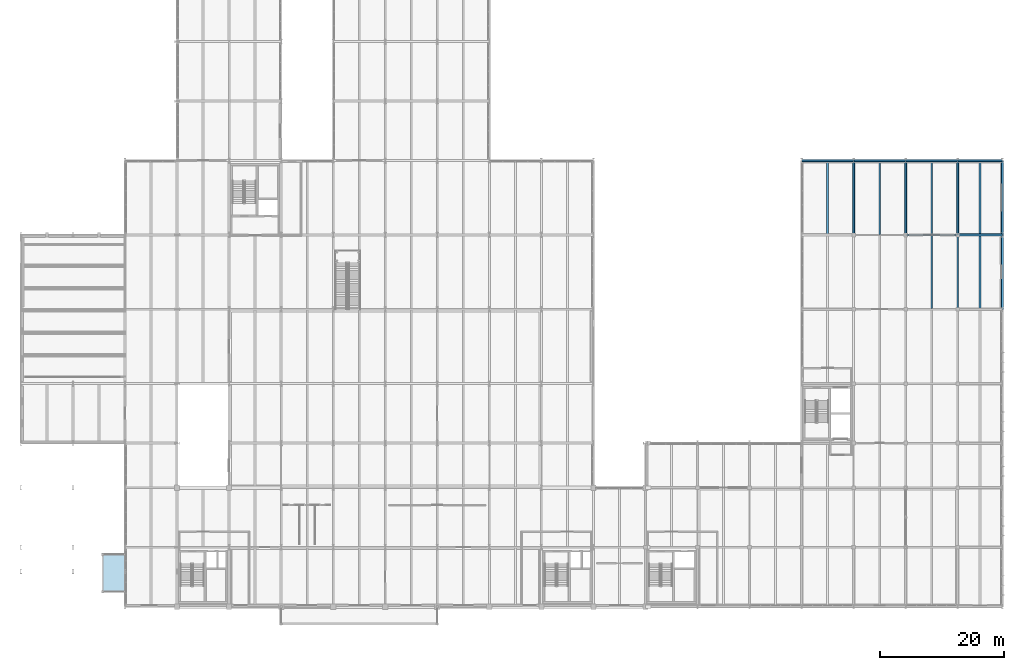
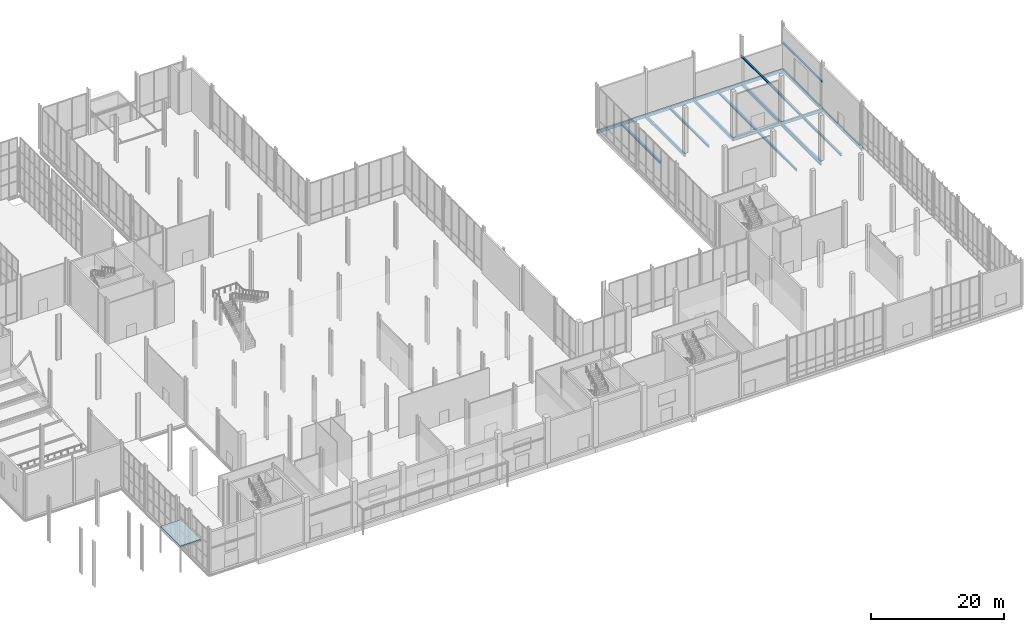
# One storey, part 99 of 131: 20 beams, 1 slab.
"""IFC4 building model written with IfcOpenShell, lengths in metres."""

from ifc_helpers import new_model, si_unit, direction, frame, origin, origin_2d, place, context, subcontext, project, spatial, polyline, rectangle, i_section, outline, extrude, material, layer, layer_set, material_profile, profile_set, type_object, element, save


model = new_model("IFC4")

# Units and contexts
model_context = context("Model", 3, precision=1e-05, world=origin(), true_north=direction((0.0, 1.0)))
body_context = subcontext(model_context, "Body", "Model", "MODEL_VIEW")
ifc_project = project(units=[si_unit("LENGTHUNIT", "METRE"), si_unit("AREAUNIT", "SQUARE_METRE"), si_unit("VOLUMEUNIT", "CUBIC_METRE"), si_unit("PLANEANGLEUNIT", "RADIAN"), si_unit("MASSUNIT", "GRAM", prefix="KILO")], contexts=[model_context])

# Site, building, storey
site_placement = place(None, origin())
site = spatial("IfcSite", under=ifc_project, at=site_placement, CompositionType="ELEMENT")
building_placement = place(site_placement, origin())
building = spatial("IfcBuilding", under=site, at=building_placement, Name="Veltarok Museum of Natural Sciences", CompositionType="ELEMENT")
storey_placement = place(building_placement, origin())
storey = spatial("IfcBuildingStorey", under=building, at=storey_placement, Name="L00", CompositionType="ELEMENT", Elevation=0.0)

# Beams
ifc_material_1 = material(Name="Steel S355J2", Category="steel")
ifc_material_profile_1 = material_profile(ifc_material_1, i_section(OverallWidth=0.2099609375, OverallDepth=0.550048828125, WebThickness=0.010986328125, FlangeThickness=0.01708984375, FilletRadius=0.02392578125, at=origin_2d()), Name="IPE 550")
ifc_profile_set_1 = profile_set([ifc_material_profile_1], Name="Steel S355J2")
beam_type_1 = type_object("IfcBeamType", Name="Archive Heavy Girder IPE 550", PredefinedType="BEAM", material=ifc_profile_set_1)
beam_1_placement = place(storey_placement, frame((149.199951171875, 60.0, -0.574951171875), z_axis=(1.0, 0.0, 0.0), x_axis=(0.0, 1.0, 0.0)))
element("IfcBeam", 1, at=beam_1_placement, inside=storey, type_object=beam_type_1, Name="Beam BM-G03 L00 18-19/G", PredefinedType="BEAM", context=body_context, shape_type="SweptSolid", body=[
    extrude(i_section(OverallWidth=0.2099609375, OverallDepth=0.550048828125, WebThickness=0.010986328125, FlangeThickness=0.01708984375, FilletRadius=0.02392578125, at=origin_2d()), origin(), (0.0, 0.0, 1.0), 8.400146484375),
])
ifc_material_2 = material(Name="Precast concrete C40/50", Category="concrete")
ifc_material_profile_2 = material_profile(ifc_material_2, rectangle(XDim=0.300048828125, YDim=0.550048828125, at=origin_2d()), Name="RC 300x550")
ifc_profile_set_2 = profile_set([ifc_material_profile_2], Name="Precast concrete C40/50")
beam_type_2 = type_object("IfcBeamType", Name="East Wing Precast Spandrel RC 300x550", PredefinedType="SPANDREL", material=ifc_profile_set_2)
beam_2_placement = place(storey_placement, frame((157.60009765625, 60.0, -0.574951171875), z_axis=(1.0, 0.0, 0.0), x_axis=(0.0, 1.0, 0.0)))
element("IfcBeam", 2, at=beam_2_placement, inside=storey, type_object=beam_type_2, Name="Beam BM-SP02 L00 19-20/G", PredefinedType="SPANDREL", context=body_context, shape_type="SweptSolid", body=[
    extrude(rectangle(XDim=0.300048828125, YDim=0.550048828125, at=origin_2d()), origin(), (0.0, 0.0, 1.0), 7.199951171875),
])
beam_3_placement = place(storey_placement, frame((132.39990234375, 72.0, -0.574951171875), z_axis=(1.0, 0.0, 0.0), x_axis=(0.0, 1.0, 0.0)))
element("IfcBeam", 3, at=beam_3_placement, inside=storey, type_object=beam_type_2, Name="Beam BM-SP02 L00 16-17/H", PredefinedType="SPANDREL", context=body_context, shape_type="SweptSolid", body=[
    extrude(rectangle(XDim=0.300048828125, YDim=0.550048828125, at=origin_2d()), origin(), (0.0, 0.0, 1.0), 8.400146484375),
])
beam_4_placement = place(storey_placement, frame((140.800048828125, 72.0, -0.574951171875), z_axis=(1.0, 0.0, 0.0), x_axis=(0.0, 1.0, 0.0)))
element("IfcBeam", 4, at=beam_4_placement, inside=storey, type_object=beam_type_2, Name="Beam BM-SP02 L00 17-18/H", PredefinedType="SPANDREL", context=body_context, shape_type="SweptSolid", body=[
    extrude(rectangle(XDim=0.300048828125, YDim=0.550048828125, at=origin_2d()), origin(), (0.0, 0.0, 1.0), 8.39990234375),
])
beam_5_placement = place(storey_placement, frame((149.199951171875, 72.0, -0.574951171875), z_axis=(1.0, 0.0, 0.0), x_axis=(0.0, 1.0, 0.0)))
element("IfcBeam", 5, at=beam_5_placement, inside=storey, type_object=beam_type_2, Name="Beam BM-SP02 L00 18-19/H", PredefinedType="SPANDREL", context=body_context, shape_type="SweptSolid", body=[
    extrude(rectangle(XDim=0.300048828125, YDim=0.550048828125, at=origin_2d()), origin(), (0.0, 0.0, 1.0), 8.400146484375),
])
beam_6_placement = place(storey_placement, frame((157.60009765625, 72.0, -0.574951171875), z_axis=(1.0, 0.0, 0.0), x_axis=(0.0, 1.0, 0.0)))
element("IfcBeam", 6, at=beam_6_placement, inside=storey, type_object=beam_type_2, Name="Beam BM-SP02 L00 19-20/H", PredefinedType="SPANDREL", context=body_context, shape_type="SweptSolid", body=[
    extrude(rectangle(XDim=0.300048828125, YDim=0.550048828125, at=origin_2d()), origin(), (0.0, 0.0, 1.0), 7.199951171875),
])
for number, where, z_axis, x_axis, name in (
    (7, (140.800048828125, 60.0, -0.574951171875), (0.0, 1.0, 0.0), (-1.0, 0.0, 0.0), "Beam BM-SP02 L00 17/G-H"),
    (8, (149.199951171875, 60.0, -0.574951171875), (0.0, 1.0, 0.0), (-1.0, 0.0, 0.0), "Beam BM-SP02 L00 18/G-H"),
    (9, (157.60009765625, 60.0, -0.574951171875), (0.0, 1.0, 0.0), (-1.0, 0.0, 0.0), "Beam BM-SP02 L00 19/G-H"),
    (10, (164.800048828125, 48.0, -0.574951171875), (0.0, 1.0, 0.0), (-1.0, 0.0, 0.0), "Beam BM-SP02 L00 20/F-G"),
    (11, (164.800048828125, 60.0, -0.574951171875), (0.0, 1.0, 0.0), (-1.0, 0.0, 0.0), "Beam BM-SP02 L00 20/G-H"),
):
    element("IfcBeam", number, at=place(storey_placement, frame(where, z_axis=z_axis, x_axis=x_axis)), inside=storey, type_object=beam_type_2, Name=name, PredefinedType="SPANDREL", context=body_context, shape_type="SweptSolid", body=[
        extrude(rectangle(XDim=0.300048828125, YDim=0.550048828125, at=origin_2d()), origin(), (0.0, 0.0, 1.0), 12.0),
    ])
ifc_material_profile_3 = material_profile(ifc_material_1, i_section(OverallWidth=0.300048828125, OverallDepth=0.389892578125, WebThickness=0.010986328125, FlangeThickness=0.01904296875, FilletRadius=0.027099609375, at=origin_2d()), Name="HEA 400")
ifc_profile_set_3 = profile_set([ifc_material_profile_3], Name="Steel S355J2")
beam_type_3 = type_object("IfcBeamType", Name="Heavy Archive Joist HEA 400", PredefinedType="JOIST", material=ifc_profile_set_3)
beam_7_placement = place(storey_placement, frame((136.60009765625, 60.14794921875, -0.4951171875), z_axis=(0.0, 1.0, 0.0), x_axis=(-1.0, 0.0, 0.0)))
element("IfcBeam", 12, at=beam_7_placement, inside=storey, type_object=beam_type_3, Name="Secondary Joist BM-J06 L00 16-17/G-H.1", PredefinedType="JOIST", context=body_context, shape_type="SweptSolid", body=[
    extrude(i_section(OverallWidth=0.300048828125, OverallDepth=0.389892578125, WebThickness=0.010986328125, FlangeThickness=0.01904296875, FilletRadius=0.027099609375, at=origin_2d()), origin(), (0.0, 0.0, 1.0), 11.7041015625),
])
beam_8_placement = place(storey_placement, frame((145.0, 60.10302734375, -0.4951171875), z_axis=(0.0, 1.0, 0.0), x_axis=(-1.0, 0.0, 0.0)))
element("IfcBeam", 13, at=beam_8_placement, inside=storey, type_object=beam_type_3, Name="Secondary Joist BM-J06 L00 17-18/G-H.1", PredefinedType="JOIST", context=body_context, shape_type="SweptSolid", body=[
    extrude(i_section(OverallWidth=0.300048828125, OverallDepth=0.389892578125, WebThickness=0.010986328125, FlangeThickness=0.01904296875, FilletRadius=0.027099609375, at=origin_2d()), origin(), (0.0, 0.0, 1.0), 11.7490234375),
])
beam_9_placement = place(storey_placement, frame((153.39990234375, 48.10302734375, -0.4951171875), z_axis=(0.0, 1.0, 0.0), x_axis=(-1.0, 0.0, 0.0)))
element("IfcBeam", 14, at=beam_9_placement, inside=storey, type_object=beam_type_3, Name="Secondary Joist BM-J06 L00 18-19/F-G.1", PredefinedType="JOIST", context=body_context, shape_type="SweptSolid", body=[
    extrude(i_section(OverallWidth=0.300048828125, OverallDepth=0.389892578125, WebThickness=0.010986328125, FlangeThickness=0.01904296875, FilletRadius=0.027099609375, at=origin_2d()), origin(), (0.0, 0.0, 1.0), 11.7939453125),
])
beam_10_placement = place(storey_placement, frame((153.39990234375, 60.10302734375, -0.4951171875), z_axis=(0.0, 1.0, 0.0), x_axis=(-1.0, 0.0, 0.0)))
element("IfcBeam", 15, at=beam_10_placement, inside=storey, type_object=beam_type_3, Name="Secondary Joist BM-J06 L00 18-19/G-H.1", PredefinedType="JOIST", context=body_context, shape_type="SweptSolid", body=[
    extrude(i_section(OverallWidth=0.300048828125, OverallDepth=0.389892578125, WebThickness=0.010986328125, FlangeThickness=0.01904296875, FilletRadius=0.027099609375, at=origin_2d()), origin(), (0.0, 0.0, 1.0), 11.7490234375),
])
for number, where, z_axis, x_axis, name in (
    (16, (161.199951171875, 48.14794921875, -0.4951171875), (0.0, 1.0, 0.0), (-1.0, 0.0, 0.0), "Secondary Joist BM-J06 L00 19-20/F-G.1"),
    (17, (161.199951171875, 60.14794921875, -0.4951171875), (0.0, 1.0, 0.0), (-1.0, 0.0, 0.0), "Secondary Joist BM-J06 L00 19-20/G-H.1"),
):
    element("IfcBeam", number, at=place(storey_placement, frame(where, z_axis=z_axis, x_axis=x_axis)), inside=storey, type_object=beam_type_3, Name=name, PredefinedType="JOIST", context=body_context, shape_type="SweptSolid", body=[
        extrude(i_section(OverallWidth=0.300048828125, OverallDepth=0.389892578125, WebThickness=0.010986328125, FlangeThickness=0.01904296875, FilletRadius=0.027099609375, at=origin_2d()), origin(), (0.0, 0.0, 1.0), 11.7041015625),
    ])
ifc_material_profile_4 = material_profile(ifc_material_1, i_section(OverallWidth=0.300048828125, OverallDepth=0.699951171875, WebThickness=0.01708984375, FlangeThickness=0.031982421875, FilletRadius=0.027099609375, at=origin_2d()), Name="HEB 700")
ifc_profile_set_4 = profile_set([ifc_material_profile_4], Name="Steel S355J2")
beam_type_4 = type_object("IfcBeamType", Name="Long-Span Hall Girder HEB 700", PredefinedType="BEAM", material=ifc_profile_set_4)
beam_11_placement = place(storey_placement, frame((157.60009765625, 48.0, -0.64990234375), z_axis=(0.0, 1.0, 0.0), x_axis=(-1.0, 0.0, 0.0)))
element("IfcBeam", 18, at=beam_11_placement, inside=storey, type_object=beam_type_4, Name="Beam BM-G01 L00 19/F-G", PredefinedType="BEAM", context=body_context, shape_type="SweptSolid", body=[
    extrude(i_section(OverallWidth=0.300048828125, OverallDepth=0.699951171875, WebThickness=0.01708984375, FlangeThickness=0.031982421875, FilletRadius=0.027099609375, at=origin_2d()), origin(), (0.0, 0.0, 1.0), 12.0),
])
ifc_material_profile_5 = material_profile(ifc_material_1, i_section(OverallWidth=0.260009765625, OverallDepth=0.25, WebThickness=0.007568359375, FlangeThickness=0.012451171875, FilletRadius=0.02392578125, at=origin_2d()), Name="HEA 260")
ifc_profile_set_5 = profile_set([ifc_material_profile_5], Name="Steel S355J2")
beam_type_5 = type_object("IfcBeamType", Name="Portal and Dock Lintel Beam HEA 260", PredefinedType="LINTEL", material=ifc_profile_set_5)
for number, where, z_axis, x_axis, name in (
    (19, (157.60009765625, 60.0, 4.52490234375), (0.0, 1.0, 0.0), (-1.0, 0.0, 0.0), "Portal Lintel Beam LN-DOCK1"),
    (20, (164.800048828125, 60.0, 4.52490234375), (0.0, 1.0, 0.0), (-1.0, 0.0, 0.0), "Portal Lintel Beam LN-DOCK2"),
):
    element("IfcBeam", number, at=place(storey_placement, frame(where, z_axis=z_axis, x_axis=x_axis)), inside=storey, type_object=beam_type_5, Name=name, PredefinedType="LINTEL", context=body_context, shape_type="SweptSolid", body=[
        extrude(i_section(OverallWidth=0.260009765625, OverallDepth=0.25, WebThickness=0.007568359375, FlangeThickness=0.012451171875, FilletRadius=0.02392578125, at=origin_2d()), origin(), (0.0, 0.0, 1.0), 12.0),
    ])

# Slab
ifc_material_3 = material(Name="Concrete C35/45", Category="concrete")
ifc_layer = layer(ifc_material_3, 0.199951171875)
ifc_layer_set = layer_set([ifc_layer], Name="Concrete C35/45")
slab_type = type_object("IfcSlabType", Name="Cantilevered Cabinet Box Roof Slab 200", PredefinedType="ROOF", material=ifc_layer_set)
slab_placement = place(storey_placement, frame((0.0, 0.0, 4.60009765625)))
element("IfcSlab", 21, at=slab_placement, inside=storey, type_object=slab_type, Name="Entrance Canopy Roof Slab CAN-W", PredefinedType="ROOF", context=body_context, shape_type="SweptSolid", body=[
    extrude(outline(polyline([(19.60009765625, 2.39990234375), (23.199951171875, 2.39990234375), (23.199951171875, 8.39990234375), (19.60009765625, 8.39990234375), (19.60009765625, 2.39990234375)])), origin(), (0.0, 0.0, 1.0), 0.199951171875),
])

save(model, "model.ifc")
